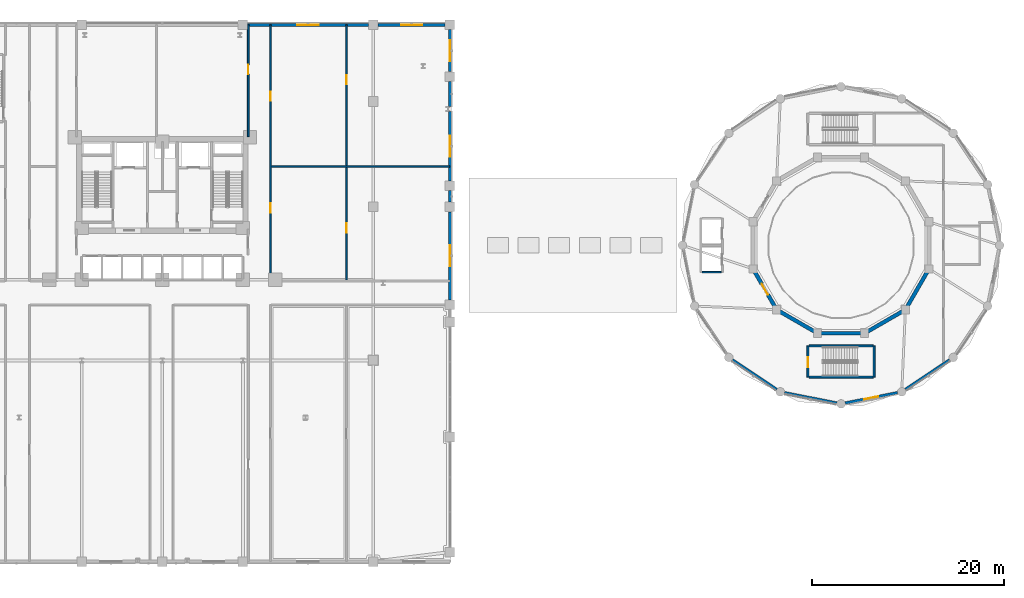
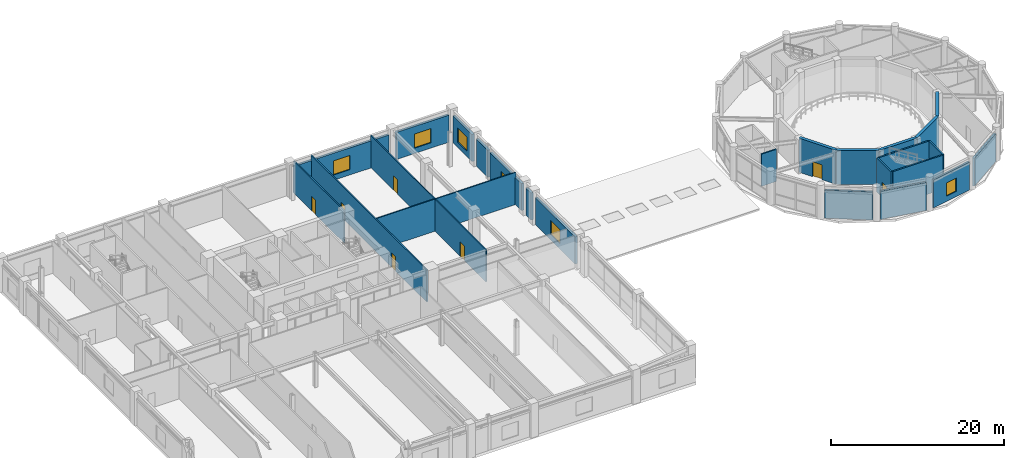
# One storey, part 20 of 34: 25 walls, 7 doors, 6 windows, 13 openings.
"""IFC4 building model written with IfcOpenShell, lengths in metres."""

from ifc_helpers import new_model, si_unit, derived_unit, direction, frame, frame_2d, origin, place, context, subcontext, project, spatial, rectangle, extrude, material, layer, layer_set, type_object, element, fill, save


model = new_model("IFC4")

# Units and contexts
model_context = context("Model", 3, precision=1e-05, world=origin(), true_north=direction((0.0, 1.0)))
body_context = subcontext(model_context, "Body", "Model", "MODEL_VIEW")
ifc_project = project(units=[si_unit("LENGTHUNIT", "METRE"), si_unit("AREAUNIT", "SQUARE_METRE"), si_unit("VOLUMEUNIT", "CUBIC_METRE"), si_unit("PLANEANGLEUNIT", "RADIAN"), si_unit("MASSUNIT", "GRAM", prefix="KILO"), derived_unit("THERMALTRANSMITTANCEUNIT", [(si_unit("POWERUNIT", "WATT"), 1), (si_unit("LENGTHUNIT", "METRE"), -2), (si_unit("THERMODYNAMICTEMPERATUREUNIT", "KELVIN"), -1)])], contexts=[model_context])

# Site, building, storey
site_placement = place(None, origin())
site = spatial("IfcSite", under=ifc_project, at=site_placement, CompositionType="ELEMENT")
building_placement = place(site_placement, origin())
building = spatial("IfcBuilding", under=site, at=building_placement, Name="Korsvarv Bourse and Concert Hall", CompositionType="ELEMENT")
storey_placement = place(building_placement, frame((0.0, 0.0, 14.39990234375)))
storey = spatial("IfcBuildingStorey", under=building, at=storey_placement, Name="L03", CompositionType="ELEMENT", Elevation=14.39990234375)

# Wall, opening, door
ifc_material_1 = material(Name="Concrete C50/60", Category="concrete")
ifc_layer_1 = layer(ifc_material_1, 0.3798828125)
ifc_layer_set_1 = layer_set([ifc_layer_1], Name="Concrete C50/60")
wall_type_1 = type_object("IfcWallType", Name="WL-CORE-380", PredefinedType="SHEAR", material=ifc_layer_set_1)
wall_1_placement = place(storey_placement, frame((103.35009765625, 22.239990234375, 0.0), z_axis=(0.0, 0.0, 1.0), x_axis=(0.0, 1.0, 0.0)))
wall_1 = element("IfcWall", 1, at=wall_1_placement, inside=storey, type_object=wall_type_1, Name="L03 stair shaft structural wall W-L03-STCH2-W", PredefinedType="SHEAR", context=body_context, shape_type="SweptSolid", body=[
    extrude(rectangle(XDim=3.260009765625, YDim=0.199951171875, at=frame_2d((1.6298828125, 0.0))), origin(), (0.0, 0.0, 1.0), 4.800048828125),
])
opening_1_placement = place(wall_1_placement, frame((1.050048828125, 0.0, 0.0)))
opening_1 = element("IfcOpeningElement", 2, at=opening_1_placement, cuts=wall_1, Name="Opening D-01", PredefinedType="OPENING", context=body_context, shape_type="SweptSolid", body=[
    extrude(rectangle(XDim=1.050048828125, YDim=2.10009765625, at=frame_2d((0.52490234375, 1.050048828125))), frame((0.0, 0.10986328125, 0.0), z_axis=(0.0, -1.0, 0.0), x_axis=(1.0, 0.0, 0.0)), (0.0, 0.0, 1.0), 0.219970703125),
])
ifc_material_2 = material(Name="Steel S355 fire door", Category="steel")
door_type_1 = type_object("IfcDoorType", Name="DR-FD60", OperationType="NOTDEFINED", PredefinedType="DOOR", material=ifc_material_2)
door_1_placement = place(opening_1_placement, origin())
door_1 = element("IfcDoor", 3, at=door_1_placement, inside=storey, type_object=door_type_1, Name="L03 interior door DR-L03-STCH2", OperationType="SINGLE_SWING_RIGHT", OverallHeight=2.10009765625, OverallWidth=1.050048828125, PredefinedType="DOOR", context=body_context, shape_type="SweptSolid", body=[
    extrude(rectangle(XDim=1.050048828125, YDim=2.10009765625, at=frame_2d((0.52490234375, 1.050048828125))), frame((0.0, 0.02490234375, 0.0), z_axis=(0.0, -1.0, 0.0), x_axis=(1.0, 0.0, 0.0)), (0.0, 0.0, 1.0), 0.050048828125),
])
fill(opening_1, door_1)

# Walls
for number, where, z_axis, x_axis, name in (
    (4, (103.4599609375, 25.5, 0.0), (0.0, 0.0, 1.0), (1.0, 0.0, 0.0), "L03 stair shaft structural wall W-L03-STCH2-N"),
    (5, (103.4599609375, 22.239990234375, 0.0), (0.0, 0.0, 1.0), (1.0, 0.0, 0.0), "L03 stair shaft structural wall W-L03-STCH2-S"),
):
    element("IfcWall", number, at=place(storey_placement, frame(where, z_axis=z_axis, x_axis=x_axis)), inside=storey, type_object=wall_type_1, Name=name, PredefinedType="SHEAR", context=body_context, shape_type="SweptSolid", body=[
        extrude(rectangle(XDim=6.679931640625, YDim=0.199951171875, at=frame_2d((3.33984375, 0.0))), origin(), (0.0, 0.0, 1.0), 4.800048828125),
    ])
wall_2_placement = place(storey_placement, frame((110.25, 22.239990234375, 0.0), z_axis=(0.0, 0.0, 1.0), x_axis=(0.0, 1.0, 0.0)))
element("IfcWall", 6, at=wall_2_placement, inside=storey, type_object=wall_type_1, Name="L03 stair shaft structural wall W-L03-STCH2-E", PredefinedType="SHEAR", context=body_context, shape_type="SweptSolid", body=[
    extrude(rectangle(XDim=3.260009765625, YDim=0.199951171875, at=frame_2d((1.6298828125, 0.0))), origin(), (0.0, 0.0, 1.0), 4.800048828125),
])

# Wall, opening, door
ifc_layer_2 = layer(ifc_material_1, 0.39990234375)
ifc_layer_set_2 = layer_set([ifc_layer_2], Name="Concrete C50/60")
wall_type_2 = type_object("IfcWallType", Name="WL-DRM-400", PredefinedType="SOLIDWALL", material=ifc_layer_set_2)
wall_3_placement = place(storey_placement, frame((97.623779296875, 33.541259765625, 0.0), z_axis=(0.0, 0.0, 1.0), x_axis=(0.499988900423, -0.866031812033, 0.0)))
wall_3 = element("IfcWall", 7, at=wall_3_placement, inside=storey, type_object=wall_type_2, Name="L03 Concert Hall Acoustic Bowl Wall 7", PredefinedType="SOLIDWALL", context=body_context, shape_type="SweptSolid", body=[
    extrude(rectangle(XDim=4.91748046875, YDim=0.39990234375, at=frame_2d((2.458740234375, 0.0))), origin(), (0.0, 0.0, 1.0), 4.800048828125),
])
opening_2_placement = place(wall_3_placement, frame((1.808837890625, 0.0, 0.0)))
opening_2 = element("IfcOpeningElement", 8, at=opening_2_placement, cuts=wall_3, Name="Opening D-04", PredefinedType="OPENING", context=body_context, shape_type="SweptSolid", body=[
    extrude(rectangle(XDim=1.300048828125, YDim=2.10009765625, at=frame_2d((0.64990234375, 1.050048828125))), frame((0.0, 0.2099609375, 0.0), z_axis=(0.0, -1.0, 0.0), x_axis=(1.0, 0.0, 0.0)), (0.0, 0.0, 1.0), 0.419921875),
])
ifc_material_3 = material(Name="Glazed aluminium double corridor door", Category="aluminium")
door_type_2 = type_object("IfcDoorType", Name="DR-INT-2", OperationType="DOUBLE_DOOR_SINGLE_SWING", PredefinedType="DOOR", material=ifc_material_3)
door_2_placement = place(opening_2_placement, frame((1.300048828125, 0.0, 0.0), z_axis=(0.0, 0.0, 1.0), x_axis=(-1.0, 0.0, 0.0)))
door_2 = element("IfcDoor", 9, at=door_2_placement, inside=storey, type_object=door_type_2, Name="L03 Symphony Auditorium acoustic door DR-L03-CHB2", OperationType="SINGLE_SWING_LEFT", OverallHeight=2.10009765625, OverallWidth=1.300048828125, PredefinedType="DOOR", context=body_context, shape_type="SweptSolid", body=[
    extrude(rectangle(XDim=1.300048828125, YDim=2.10009765625, at=frame_2d((0.64990234375, 1.050048828125))), frame((0.0, 0.02490234375, 0.0), z_axis=(0.0, -1.0, 0.0), x_axis=(1.0, 0.0, 0.0)), (0.0, 0.0, 1.0), 0.050048828125),
])
fill(opening_2, door_2)

# Walls
for number, where, z_axis, x_axis, name in (
    (10, (100.08251953125, 29.282470703125, 0.0), (0.0, 0.0, 1.0), (0.866031812033, -0.499988900423, 0.0), "L03 Concert Hall Acoustic Bowl Wall 8"),
    (11, (104.34130859375, 26.82373046875, 0.0), (0.0, 0.0, 1.0), (1.0, 0.0, 0.0), "L03 Concert Hall Acoustic Bowl Wall 9"),
    (12, (109.2587890625, 26.82373046875, 0.0), (0.0, 0.0, 1.0), (0.866031812033, 0.499988900423, 0.0), "L03 Concert Hall Acoustic Bowl Wall 10"),
    (13, (113.517578125, 29.282470703125, 0.0), (0.0, 0.0, 1.0), (0.499988900423, 0.866031812033, 0.0), "L03 Concert Hall Acoustic Bowl Wall 11"),
):
    element("IfcWall", number, at=place(storey_placement, frame(where, z_axis=z_axis, x_axis=x_axis)), inside=storey, type_object=wall_type_2, Name=name, PredefinedType="SOLIDWALL", context=body_context, shape_type="SweptSolid", body=[
        extrude(rectangle(XDim=4.91748046875, YDim=0.39990234375, at=frame_2d((2.458740234375, 0.0))), origin(), (0.0, 0.0, 1.0), 4.800048828125),
    ])

# Wall, opening, window
ifc_material_4 = material(Name="Precast concrete C45/55 with granite and terracotta", Category="concrete")
ifc_layer_3 = layer(ifc_material_4, 0.320068359375)
ifc_layer_set_3 = layer_set([ifc_layer_3], Name="Precast concrete C45/55 with granite and terracotta")
wall_type_3 = type_object("IfcWallType", Name="WL-EXT-POD", PredefinedType="SOLIDWALL", material=ifc_layer_set_3)
wall_4_placement = place(storey_placement, frame((44.905029296875, 59.0, 0.0), z_axis=(0.0, 0.0, 1.0), x_axis=(1.0, 0.0, 0.0)))
wall_4 = element("IfcWall", 14, at=wall_4_placement, inside=storey, type_object=wall_type_3, Name="L03 terracotta exterior wall EW-L03-N4", PredefinedType="SOLIDWALL", context=body_context, shape_type="SweptSolid", body=[
    extrude(rectangle(XDim=12.590087890625, YDim=0.320068359375, at=frame_2d((6.294921875, 0.0))), origin(), (0.0, 0.0, 1.0), 3.820068359375),
])
opening_3_placement = place(wall_4_placement, frame((5.195068359375, 0.0, 0.75)))
opening_3 = element("IfcOpeningElement", 15, at=opening_3_placement, cuts=wall_4, Name="Opening W-03", PredefinedType="OPENING", context=body_context, shape_type="SweptSolid", body=[
    extrude(rectangle(XDim=2.199951171875, YDim=2.0, at=frame_2d((1.10009765625, 1.0))), frame((0.0, 0.169921875, 0.0), z_axis=(0.0, -1.0, 0.0), x_axis=(1.0, 0.0, 0.0)), (0.0, 0.0, 1.0), 0.340087890625),
])
ifc_material_5 = material(Name="Thermally broken aluminium frame with triple low-E glass", Category="glass")
window_type_1 = type_object("IfcWindowType", Name="WIN-POD1", PartitioningType="SINGLE_PANEL", PredefinedType="WINDOW", material=ifc_material_5)
window_1_placement = place(opening_3_placement, origin())
window_1 = element("IfcWindow", 16, at=window_1_placement, inside=storey, type_object=window_type_1, Name="L03 punched facade window W-03", OverallHeight=2.0, OverallWidth=2.199951171875, PartitioningType="SINGLE_PANEL", PredefinedType="WINDOW", context=body_context, shape_type="SweptSolid", body=[
    extrude(rectangle(XDim=2.199951171875, YDim=2.0, at=frame_2d((1.10009765625, 1.0))), frame((0.0, 0.030029296875, 0.0), z_axis=(0.0, -1.0, 0.0), x_axis=(1.0, 0.0, 0.0)), (0.0, 0.0, 1.0), 0.06005859375),
])
fill(opening_3, window_1)

wall_5_placement = place(storey_placement, frame((58.5048828125, 59.0, 0.0), z_axis=(0.0, 0.0, 1.0), x_axis=(1.0, 0.0, 0.0)))
wall_5 = element("IfcWall", 17, at=wall_5_placement, inside=storey, type_object=wall_type_3, Name="L03 terracotta exterior wall EW-L03-N5", PredefinedType="SOLIDWALL", context=body_context, shape_type="SweptSolid", body=[
    extrude(rectangle(XDim=6.990234375, YDim=0.320068359375, at=frame_2d((3.4951171875, 0.0))), origin(), (0.0, 0.0, 1.0), 3.820068359375),
])
opening_4_placement = place(wall_5_placement, frame((2.39501953125, 0.0, 0.75)))
opening_4 = element("IfcOpeningElement", 18, at=opening_4_placement, cuts=wall_5, Name="Opening W-03", PredefinedType="OPENING", context=body_context, shape_type="SweptSolid", body=[
    extrude(rectangle(XDim=2.199951171875, YDim=2.0, at=frame_2d((1.10009765625, 1.0))), frame((0.0, 0.169921875, 0.0), z_axis=(0.0, -1.0, 0.0), x_axis=(1.0, 0.0, 0.0)), (0.0, 0.0, 1.0), 0.340087890625),
])
window_2_placement = place(opening_4_placement, origin())
window_2 = element("IfcWindow", 19, at=window_2_placement, inside=storey, type_object=window_type_1, Name="L03 punched facade window W-03", OverallHeight=2.0, OverallWidth=2.199951171875, PartitioningType="SINGLE_PANEL", PredefinedType="WINDOW", context=body_context, shape_type="SweptSolid", body=[
    extrude(rectangle(XDim=2.199951171875, YDim=2.0, at=frame_2d((1.10009765625, 1.0))), frame((0.0, 0.030029296875, 0.0), z_axis=(0.0, -1.0, 0.0), x_axis=(1.0, 0.0, 0.0)), (0.0, 0.0, 1.0), 0.06005859375),
])
fill(opening_4, window_2)

wall_6_placement = place(storey_placement, frame((66.0, 30.304931640625, 0.0), z_axis=(0.0, 0.0, 1.0), x_axis=(0.0, 1.0, 0.0)))
wall_6 = element("IfcWall", 20, at=wall_6_placement, inside=storey, type_object=wall_type_3, Name="L03 terracotta exterior wall EW-L03-E3-1", PredefinedType="SOLIDWALL", context=body_context, shape_type="SweptSolid", body=[
    extrude(rectangle(XDim=9.190185546875, YDim=0.320068359375, at=frame_2d((4.59521484375, 0.0))), origin(), (0.0, 0.0, 1.0), 3.820068359375),
])
opening_5_placement = place(wall_6_placement, frame((3.4951171875, 0.0, 0.75)))
opening_5 = element("IfcOpeningElement", 21, at=opening_5_placement, cuts=wall_6, Name="Opening W-03", PredefinedType="OPENING", context=body_context, shape_type="SweptSolid", body=[
    extrude(rectangle(XDim=2.199951171875, YDim=2.0, at=frame_2d((1.10009765625, 1.0))), frame((0.0, 0.169921875, 0.0), z_axis=(0.0, -1.0, 0.0), x_axis=(1.0, 0.0, 0.0)), (0.0, 0.0, 1.0), 0.340087890625),
])
window_3_placement = place(opening_5_placement, origin())
window_3 = element("IfcWindow", 22, at=window_3_placement, inside=storey, type_object=window_type_1, Name="L03 punched facade window W-03", OverallHeight=2.0, OverallWidth=2.199951171875, PartitioningType="SINGLE_PANEL", PredefinedType="WINDOW", context=body_context, shape_type="SweptSolid", body=[
    extrude(rectangle(XDim=2.199951171875, YDim=2.0, at=frame_2d((1.10009765625, 1.0))), frame((0.0, 0.030029296875, 0.0), z_axis=(0.0, -1.0, 0.0), x_axis=(1.0, 0.0, 0.0)), (0.0, 0.0, 1.0), 0.06005859375),
])
fill(opening_5, window_3)

# Wall
wall_7_placement = place(storey_placement, frame((66.0, 40.5048828125, 0.0), z_axis=(0.0, 0.0, 1.0), x_axis=(0.0, 1.0, 0.0)))
element("IfcWall", 23, at=wall_7_placement, inside=storey, type_object=wall_type_3, Name="L03 terracotta exterior wall EW-L03-E3-2", PredefinedType="SOLIDWALL", context=body_context, shape_type="SweptSolid", body=[
    extrude(rectangle(XDim=1.190185546875, YDim=0.320068359375, at=frame_2d((0.59521484375, 0.0))), origin(), (0.0, 0.0, 1.0), 3.820068359375),
])

# Wall, opening, window
wall_8_placement = place(storey_placement, frame((66.0, 42.705078125, 0.0), z_axis=(0.0, 0.0, 1.0), x_axis=(0.0, 1.0, 0.0)))
wall_8 = element("IfcWall", 24, at=wall_8_placement, inside=storey, type_object=wall_type_3, Name="L03 terracotta exterior wall EW-L03-E4-1", PredefinedType="SOLIDWALL", context=body_context, shape_type="SweptSolid", body=[
    extrude(rectangle(XDim=7.27001953125, YDim=0.320068359375, at=frame_2d((3.635009765625, 0.0))), origin(), (0.0, 0.0, 1.0), 3.820068359375),
])
opening_6_placement = place(wall_8_placement, frame((2.53515625, 0.0, 0.75)))
opening_6 = element("IfcOpeningElement", 25, at=opening_6_placement, cuts=wall_8, Name="Opening W-03", PredefinedType="OPENING", context=body_context, shape_type="SweptSolid", body=[
    extrude(rectangle(XDim=2.199951171875, YDim=2.0, at=frame_2d((1.10009765625, 1.0))), frame((0.0, 0.169921875, 0.0), z_axis=(0.0, -1.0, 0.0), x_axis=(1.0, 0.0, 0.0)), (0.0, 0.0, 1.0), 0.340087890625),
])
window_4_placement = place(opening_6_placement, origin())
window_4 = element("IfcWindow", 26, at=window_4_placement, inside=storey, type_object=window_type_1, Name="L03 punched facade window W-03", OverallHeight=2.0, OverallWidth=2.199951171875, PartitioningType="SINGLE_PANEL", PredefinedType="WINDOW", context=body_context, shape_type="SweptSolid", body=[
    extrude(rectangle(XDim=2.199951171875, YDim=2.0, at=frame_2d((1.10009765625, 1.0))), frame((0.0, 0.030029296875, 0.0), z_axis=(0.0, -1.0, 0.0), x_axis=(1.0, 0.0, 0.0)), (0.0, 0.0, 1.0), 0.06005859375),
])
fill(opening_6, window_4)

# Wall
wall_9_placement = place(storey_placement, frame((66.0, 50.459228515625, 0.0), z_axis=(0.0, 0.0, 1.0), x_axis=(0.0, 1.0, 0.0)))
element("IfcWall", 27, at=wall_9_placement, inside=storey, type_object=wall_type_3, Name="L03 terracotta exterior wall EW-L03-E4-2", PredefinedType="SOLIDWALL", context=body_context, shape_type="SweptSolid", body=[
    extrude(rectangle(XDim=2.6357421875, YDim=0.320068359375, at=frame_2d((1.31787109375, 0.0))), origin(), (0.0, 0.0, 1.0), 3.820068359375),
])

# Wall, opening, window
wall_10_placement = place(storey_placement, frame((66.0, 54.10498046875, 0.0), z_axis=(0.0, 0.0, 1.0), x_axis=(0.0, 1.0, 0.0)))
wall_10 = element("IfcWall", 28, at=wall_10_placement, inside=storey, type_object=wall_type_3, Name="L03 terracotta exterior wall EW-L03-E5", PredefinedType="SOLIDWALL", context=body_context, shape_type="SweptSolid", body=[
    extrude(rectangle(XDim=4.39013671875, YDim=0.320068359375, at=frame_2d((2.195068359375, 0.0))), origin(), (0.0, 0.0, 1.0), 3.820068359375),
])
opening_7_placement = place(wall_10_placement, frame((1.094970703125, 0.0, 0.75)))
opening_7 = element("IfcOpeningElement", 29, at=opening_7_placement, cuts=wall_10, Name="Opening W-03", PredefinedType="OPENING", context=body_context, shape_type="SweptSolid", body=[
    extrude(rectangle(XDim=2.199951171875, YDim=2.0, at=frame_2d((1.10009765625, 1.0))), frame((0.0, 0.169921875, 0.0), z_axis=(0.0, -1.0, 0.0), x_axis=(1.0, 0.0, 0.0)), (0.0, 0.0, 1.0), 0.340087890625),
])
window_5_placement = place(opening_7_placement, origin())
window_5 = element("IfcWindow", 30, at=window_5_placement, inside=storey, type_object=window_type_1, Name="L03 punched facade window W-03", OverallHeight=2.0, OverallWidth=2.199951171875, PartitioningType="SINGLE_PANEL", PredefinedType="WINDOW", context=body_context, shape_type="SweptSolid", body=[
    extrude(rectangle(XDim=2.199951171875, YDim=2.0, at=frame_2d((1.10009765625, 1.0))), frame((0.0, 0.030029296875, 0.0), z_axis=(0.0, -1.0, 0.0), x_axis=(1.0, 0.0, 0.0)), (0.0, 0.0, 1.0), 0.06005859375),
])
fill(opening_7, window_5)

# Walls
ifc_material_6 = material(Name="Precast concrete C45/55 with fluted terracotta pier", Category="concrete")
ifc_layer_4 = layer(ifc_material_6, 0.280029296875)
ifc_layer_set_4 = layer_set([ifc_layer_4], Name="Precast concrete C45/55 with fluted terracotta pier")
wall_type_4 = type_object("IfcWallType", Name="WL-EXT-TC2", PredefinedType="SOLIDWALL", material=ifc_layer_set_4)
for number, where, z_axis, x_axis, name in (
    (31, (95.4755859375, 24.044677734375, 0.0), (0.0, 0.0, 1.0), (0.831481142367, -0.555552976672, 0.0), "L03 terracotta exterior wall EW-L03-CHD11"),
    (32, (100.912841796875, 20.62109375, 0.0), (0.0, 0.0, 1.0), (0.980784952156, -0.195091972221, 0.0), "L03 terracotta exterior wall EW-L03-CHD12"),
):
    element("IfcWall", number, at=place(storey_placement, frame(where, z_axis=z_axis, x_axis=x_axis)), inside=storey, type_object=wall_type_4, Name=name, PredefinedType="SOLIDWALL", context=body_context, shape_type="SweptSolid", body=[
        extrude(rectangle(XDim=5.547607421875, YDim=0.280029296875, at=frame_2d((2.77392578125, 0.0))), origin(), (0.0, 0.0, 1.0), 3.9501953125),
    ])

# Wall, opening, window
wall_11_placement = place(storey_placement, frame((107.246337890625, 19.538818359375, 0.0), z_axis=(0.0, 0.0, 1.0), x_axis=(0.980783277025, 0.195100393406, 0.0)))
wall_11 = element("IfcWall", 33, at=wall_11_placement, inside=storey, type_object=wall_type_4, Name="L03 terracotta exterior wall EW-L03-CHD13", PredefinedType="SOLIDWALL", context=body_context, shape_type="SweptSolid", body=[
    extrude(rectangle(XDim=5.54736328125, YDim=0.280029296875, at=frame_2d((2.773681640625, 0.0))), origin(), (0.0, 0.0, 1.0), 3.9501953125),
])
opening_8_placement = place(wall_11_placement, frame((2.023681640625, 0.0, 0.75)))
opening_8 = element("IfcOpeningElement", 34, at=opening_8_placement, cuts=wall_11, Name="Opening W-04", PredefinedType="OPENING", context=body_context, shape_type="SweptSolid", body=[
    extrude(rectangle(XDim=1.5, YDim=1.85009765625, at=frame_2d((0.75, 0.925048828125))), frame((0.0, 0.14990234375, 0.0), z_axis=(0.0, -1.0, 0.0), x_axis=(1.0, 0.0, 0.0)), (0.0, 0.0, 1.0), 0.300048828125),
])
window_type_2 = type_object("IfcWindowType", Name="WIN-POD2", PartitioningType="SINGLE_PANEL", PredefinedType="WINDOW", material=ifc_material_5)
window_6_placement = place(opening_8_placement, origin())
window_6 = element("IfcWindow", 35, at=window_6_placement, inside=storey, type_object=window_type_2, Name="L03 punched facade window W-04", OverallHeight=1.85009765625, OverallWidth=1.5, PartitioningType="SINGLE_PANEL", PredefinedType="WINDOW", context=body_context, shape_type="SweptSolid", body=[
    extrude(rectangle(XDim=1.5, YDim=1.85009765625, at=frame_2d((0.75, 0.925048828125))), frame((0.0, 0.030029296875, 0.0), z_axis=(0.0, -1.0, 0.0), x_axis=(1.0, 0.0, 0.0)), (0.0, 0.0, 1.0), 0.06005859375),
])
fill(opening_8, window_6)

# Wall
wall_12_placement = place(storey_placement, frame((113.51171875, 20.962646484375, 0.0), z_axis=(0.0, 0.0, 1.0), x_axis=(0.831467559129, 0.555573305798, 0.0)))
element("IfcWall", 36, at=wall_12_placement, inside=storey, type_object=wall_type_4, Name="L03 terracotta exterior wall EW-L03-CHD14", PredefinedType="SOLIDWALL", context=body_context, shape_type="SweptSolid", body=[
    extrude(rectangle(XDim=5.54736328125, YDim=0.280029296875, at=frame_2d((2.773681640625, 0.0))), origin(), (0.0, 0.0, 1.0), 3.9501953125),
])

# Wall, openings, doors
ifc_material_7 = material(Name="Double-stud fire-rated acoustic partition", Category="gypsum")
ifc_layer_5 = layer(ifc_material_7, 0.159912109375)
ifc_layer_set_5 = layer_set([ifc_layer_5], Name="Double-stud fire-rated acoustic partition")
wall_type_5 = type_object("IfcWallType", Name="WL-INT-EI60", PredefinedType="PARTITIONING", material=ifc_layer_set_5)
wall_13_placement = place(storey_placement, frame((47.27490234375, 32.27001953125, 0.0), z_axis=(0.0, 0.0, 1.0), x_axis=(0.0, 1.0, 0.0)))
wall_13 = element("IfcWall", 37, at=wall_13_placement, inside=storey, type_object=wall_type_5, Name="L03 interior partition wall W-L03-PCOR-07", PredefinedType="PARTITIONING", context=body_context, shape_type="SweptSolid", body=[
    extrude(rectangle(XDim=26.7099609375, YDim=0.159912109375, at=frame_2d((13.35498046875, 0.0))), origin(), (0.0, 0.0, 1.0), 4.52001953125),
])
opening_9_placement = place(wall_13_placement, frame((7.14453125, 0.0, 0.0)))
opening_9 = element("IfcOpeningElement", 38, at=opening_9_placement, cuts=wall_13, Name="Opening D-02", PredefinedType="OPENING", context=body_context, shape_type="SweptSolid", body=[
    extrude(rectangle(XDim=0.949951171875, YDim=2.050048828125, at=frame_2d((0.47509765625, 1.02490234375))), frame((0.0, 0.08984375, 0.0), z_axis=(0.0, -1.0, 0.0), x_axis=(1.0, 0.0, 0.0)), (0.0, 0.0, 1.0), 0.179931640625),
])
opening_10_placement = place(wall_13_placement, frame((18.7900390625, 0.0, 0.0)))
opening_10 = element("IfcOpeningElement", 39, at=opening_10_placement, cuts=wall_13, Name="Opening D-02", PredefinedType="OPENING", context=body_context, shape_type="SweptSolid", body=[
    extrude(rectangle(XDim=0.949951171875, YDim=2.050048828125, at=frame_2d((0.47509765625, 1.02490234375))), frame((0.0, 0.08984375, 0.0), z_axis=(0.0, -1.0, 0.0), x_axis=(1.0, 0.0, 0.0)), (0.0, 0.0, 1.0), 0.179931640625),
])
ifc_material_8 = material(Name="Timber and steel acoustic fire door", Category="wood")
door_type_3 = type_object("IfcDoorType", Name="DR-FD30", OperationType="NOTDEFINED", PredefinedType="DOOR", material=ifc_material_8)
door_3_placement = place(opening_9_placement, origin())
door_3 = element("IfcDoor", 40, at=door_3_placement, inside=storey, type_object=door_type_3, Name="L03 interior door DR-L03-PCOR-RM33", OperationType="SINGLE_SWING_LEFT", OverallHeight=2.050048828125, OverallWidth=0.949951171875, PredefinedType="DOOR", context=body_context, shape_type="SweptSolid", body=[
    extrude(rectangle(XDim=0.949951171875, YDim=2.050048828125, at=frame_2d((0.47509765625, 1.02490234375))), frame((0.0, 0.02490234375, 0.0), z_axis=(0.0, -1.0, 0.0), x_axis=(1.0, 0.0, 0.0)), (0.0, 0.0, 1.0), 0.050048828125),
])
fill(opening_9, door_3)
door_4_placement = place(opening_10_placement, origin())
door_4 = element("IfcDoor", 41, at=door_4_placement, inside=storey, type_object=door_type_3, Name="L03 interior door DR-L03-PCOR-NEOF4", OperationType="SINGLE_SWING_RIGHT", OverallHeight=2.050048828125, OverallWidth=0.949951171875, PredefinedType="DOOR", context=body_context, shape_type="SweptSolid", body=[
    extrude(rectangle(XDim=0.949951171875, YDim=2.050048828125, at=frame_2d((0.47509765625, 1.02490234375))), frame((0.0, 0.02490234375, 0.0), z_axis=(0.0, -1.0, 0.0), x_axis=(1.0, 0.0, 0.0)), (0.0, 0.0, 1.0), 0.050048828125),
])
fill(opening_10, door_4)

# Wall, opening, door
wall_14_placement = place(storey_placement, frame((44.965087890625, 47.340087890625, 0.0), z_axis=(0.0, 0.0, 1.0), x_axis=(0.0, 1.0, 0.0)))
wall_14 = element("IfcWall", 42, at=wall_14_placement, inside=storey, type_object=wall_type_5, Name="L03 interior partition wall W-L03-PCOR-17", PredefinedType="PARTITIONING", context=body_context, shape_type="SweptSolid", body=[
    extrude(rectangle(XDim=11.639892578125, YDim=0.159912109375, at=frame_2d((5.81982421875, 0.0))), origin(), (0.0, 0.0, 1.0), 4.52001953125),
])
opening_11_placement = place(wall_14_placement, frame((6.52099609375, 0.0, 0.0)))
opening_11 = element("IfcOpeningElement", 43, at=opening_11_placement, cuts=wall_14, Name="Opening D-02", PredefinedType="OPENING", context=body_context, shape_type="SweptSolid", body=[
    extrude(rectangle(XDim=0.949951171875, YDim=2.050048828125, at=frame_2d((0.47509765625, 1.02490234375))), frame((0.0, 0.08984375, 0.0), z_axis=(0.0, -1.0, 0.0), x_axis=(1.0, 0.0, 0.0)), (0.0, 0.0, 1.0), 0.179931640625),
])
door_5_placement = place(opening_11_placement, origin())
door_5 = element("IfcDoor", 44, at=door_5_placement, inside=storey, type_object=door_type_3, Name="L03 interior door DR-L03-PCOR-RM99", OperationType="SINGLE_SWING_RIGHT", OverallHeight=2.050048828125, OverallWidth=0.949951171875, PredefinedType="DOOR", context=body_context, shape_type="SweptSolid", body=[
    extrude(rectangle(XDim=0.949951171875, YDim=2.050048828125, at=frame_2d((0.47509765625, 1.02490234375))), frame((0.0, 0.02490234375, 0.0), z_axis=(0.0, -1.0, 0.0), x_axis=(1.0, 0.0, 0.0)), (0.0, 0.0, 1.0), 0.050048828125),
])
fill(opening_11, door_5)

# Wall
ifc_material_9 = material(Name="Gypsum-clad autoclaved concrete shaft wall C30/37", Category="concrete")
ifc_layer_6 = layer(ifc_material_9, 0.179931640625)
ifc_layer_set_6 = layer_set([ifc_layer_6], Name="Gypsum-clad autoclaved concrete shaft wall C30/37")
wall_type_6 = type_object("IfcWallType", Name="WL-INT-EI90", PredefinedType="PARTITIONING", material=ifc_layer_set_6)
wall_15_placement = place(storey_placement, frame((92.300048828125, 33.199951171875, 0.0), z_axis=(0.0, 0.0, 1.0), x_axis=(1.0, 0.0, 0.0)))
element("IfcWall", 45, at=wall_15_placement, inside=storey, type_object=wall_type_6, Name="L03 interior partition wall W-L03-CHLF-S", PredefinedType="PARTITIONING", context=body_context, shape_type="SweptSolid", body=[
    extrude(rectangle(XDim=2.0, YDim=0.179931640625, at=frame_2d((1.0, 0.0))), origin(), (0.0, 0.0, 1.0), 4.52001953125),
])

# Wall, openings, doors
ifc_material_10 = material(Name="Insulated steel-stud office acoustic partition", Category="gypsum")
ifc_layer_7 = layer(ifc_material_10, 0.139892578125)
ifc_layer_set_7 = layer_set([ifc_layer_7], Name="Insulated steel-stud office acoustic partition")
wall_type_7 = type_object("IfcWallType", Name="WL-INT-P1", PredefinedType="PARTITIONING", material=ifc_layer_set_7)
wall_16_placement = place(storey_placement, frame((55.205078125, 32.35693359375, 0.0), z_axis=(0.0, 0.0, 1.0), x_axis=(0.0, 1.0, 0.0)))
wall_16 = element("IfcWall", 46, at=wall_16_placement, inside=storey, type_object=wall_type_7, Name="L03 interior partition wall W-L03-PCOR-23", PredefinedType="PARTITIONING", context=body_context, shape_type="SweptSolid", body=[
    extrude(rectangle(XDim=26.623046875, YDim=0.139892578125, at=frame_2d((13.3115234375, 0.0))), origin(), (0.0, 0.0, 1.0), 4.52001953125),
])
opening_12_placement = place(wall_16_placement, frame((4.972900390625, 0.0, 0.0)))
opening_12 = element("IfcOpeningElement", 47, at=opening_12_placement, cuts=wall_16, Name="Opening D-03", PredefinedType="OPENING", context=body_context, shape_type="SweptSolid", body=[
    extrude(rectangle(XDim=0.949951171875, YDim=2.050048828125, at=frame_2d((0.47509765625, 1.02490234375))), frame((0.0, 0.080078125, 0.0), z_axis=(0.0, -1.0, 0.0), x_axis=(1.0, 0.0, 0.0)), (0.0, 0.0, 1.0), 0.159912109375),
])
opening_13_placement = place(wall_16_placement, frame((20.419189453125, 0.0, 0.0)))
opening_13 = element("IfcOpeningElement", 48, at=opening_13_placement, cuts=wall_16, Name="Opening D-03", PredefinedType="OPENING", context=body_context, shape_type="SweptSolid", body=[
    extrude(rectangle(XDim=0.949951171875, YDim=2.050048828125, at=frame_2d((0.47509765625, 1.02490234375))), frame((0.0, 0.080078125, 0.0), z_axis=(0.0, -1.0, 0.0), x_axis=(1.0, 0.0, 0.0)), (0.0, 0.0, 1.0), 0.159912109375),
])
ifc_material_11 = material(Name="Nordic oak acoustic office door", Category="wood")
door_type_4 = type_object("IfcDoorType", Name="DR-INT-1", OperationType="NOTDEFINED", PredefinedType="DOOR", material=ifc_material_11)
door_6_placement = place(opening_12_placement, origin())
door_6 = element("IfcDoor", 49, at=door_6_placement, inside=storey, type_object=door_type_4, Name="L03 interior door DR-L03-PCOR-RM55", OperationType="SINGLE_SWING_RIGHT", OverallHeight=2.050048828125, OverallWidth=0.949951171875, PredefinedType="DOOR", context=body_context, shape_type="SweptSolid", body=[
    extrude(rectangle(XDim=0.949951171875, YDim=2.050048828125, at=frame_2d((0.47509765625, 1.02490234375))), frame((0.0, 0.02490234375, 0.0), z_axis=(0.0, -1.0, 0.0), x_axis=(1.0, 0.0, 0.0)), (0.0, 0.0, 1.0), 0.050048828125),
])
fill(opening_12, door_6)
door_7_placement = place(opening_13_placement, origin())
door_7 = element("IfcDoor", 50, at=door_7_placement, inside=storey, type_object=door_type_4, Name="L03 interior door DR-L03-PCOR-CONF6", OperationType="SINGLE_SWING_LEFT", OverallHeight=2.050048828125, OverallWidth=0.949951171875, PredefinedType="DOOR", context=body_context, shape_type="SweptSolid", body=[
    extrude(rectangle(XDim=0.949951171875, YDim=2.050048828125, at=frame_2d((0.47509765625, 1.02490234375))), frame((0.0, 0.02490234375, 0.0), z_axis=(0.0, -1.0, 0.0), x_axis=(1.0, 0.0, 0.0)), (0.0, 0.0, 1.0), 0.050048828125),
])
fill(opening_13, door_7)

# Wall
wall_17_placement = place(storey_placement, frame((47.35693359375, 44.205078125, 0.0), z_axis=(0.0, 0.0, 1.0), x_axis=(1.0, 0.0, 0.0)))
element("IfcWall", 51, at=wall_17_placement, inside=storey, type_object=wall_type_7, Name="L03 interior partition wall W-L03-PCOR-25", PredefinedType="PARTITIONING", context=body_context, shape_type="SweptSolid", body=[
    extrude(rectangle(XDim=18.623046875, YDim=0.139892578125, at=frame_2d((9.3115234375, 0.0))), origin(), (0.0, 0.0, 1.0), 4.52001953125),
])

save(model, "model.ifc")
